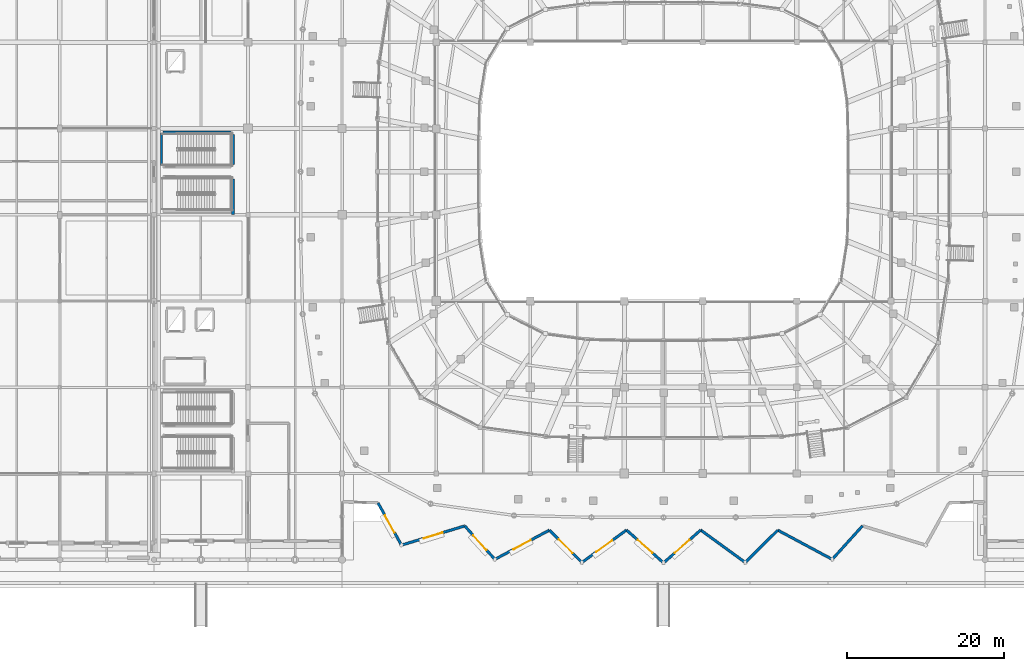
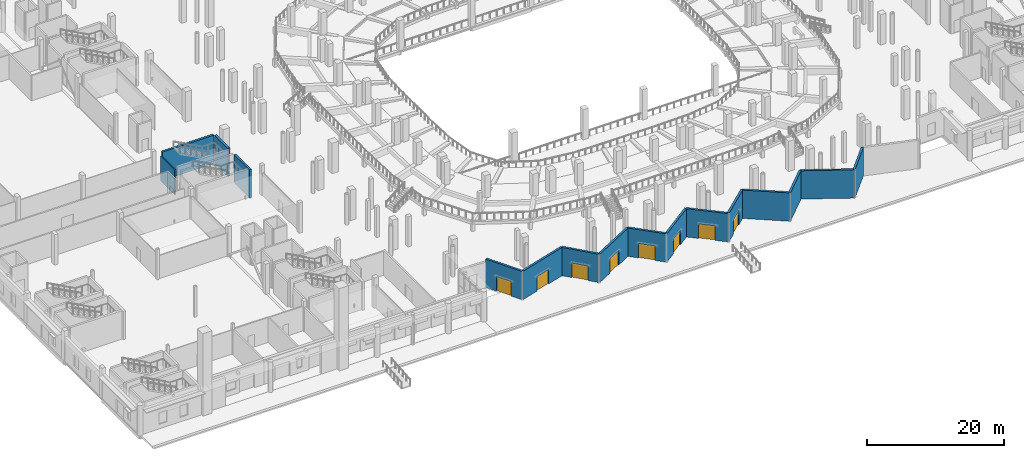
# One storey, part 58 of 120: 16 walls, 8 doors, 8 openings.
"""IFC4 building model written with IfcOpenShell, lengths in metres."""

from ifc_helpers import new_model, si_unit, direction, frame, frame_2d, origin, place, context, subcontext, project, spatial, rectangle, extrude, material, layer, layer_set, type_object, element, fill, save


model = new_model("IFC4")

# Units and contexts
model_context = context("Model", 3, precision=1e-05, world=origin(), true_north=direction((0.0, 1.0)))
body_context = subcontext(model_context, "Body", "Model", "MODEL_VIEW")
ifc_project = project(units=[si_unit("LENGTHUNIT", "METRE"), si_unit("AREAUNIT", "SQUARE_METRE"), si_unit("VOLUMEUNIT", "CUBIC_METRE"), si_unit("PLANEANGLEUNIT", "RADIAN"), si_unit("MASSUNIT", "GRAM", prefix="KILO")], contexts=[model_context])

# Site, building, storey
site_placement = place(None, origin())
site = spatial("IfcSite", under=ifc_project, at=site_placement, CompositionType="ELEMENT")
building_placement = place(site_placement, origin())
building = spatial("IfcBuilding", under=site, at=building_placement, Name="Luwafu Chhajja Arena", CompositionType="ELEMENT")
storey_placement = place(building_placement, origin())
storey = spatial("IfcBuildingStorey", under=building, at=storey_placement, Name="L00", CompositionType="ELEMENT", Elevation=0.0)

# Wall, opening, door
ifc_material_1 = material(Name="Precast concrete C40/50", Category="concrete")
ifc_layer_1 = layer(ifc_material_1, 0.340087890625, Name="Precast concrete C40/50")
ifc_layer_set_1 = layer_set([ifc_layer_1], Name="Precast concrete C40/50")
wall_type_1 = type_object("IfcWallType", Name="Pleated Bowl V-Fold Wall 340", PredefinedType="USERDEFINED", material=ifc_layer_set_1)
wall_1_placement = place(storey_placement, frame((62.57421875, 7.23681640625, 0.0), z_axis=(0.0, 0.0, 1.0), x_axis=(0.487306352228, -0.87323108, 0.0)))
wall_1 = element("IfcWall", 1, at=wall_1_placement, inside=storey, type_object=wall_type_1, Name="L00 Pleated Bowl V-Fold Wall 42", ObjectType="PLEATED FACADE WALL", PredefinedType="USERDEFINED", context=body_context, shape_type="SweptSolid", body=[
    extrude(rectangle(XDim=6.15283203125, YDim=0.340087890625, at=frame_2d((3.076416015625, 0.0))), origin(), (0.0, 0.0, 1.0), 5.054931640625),
])
opening_1_placement = place(wall_1_placement, frame((1.826416015625, 0.0, 0.0)))
opening_1 = element("IfcOpeningElement", 2, at=opening_1_placement, cuts=wall_1, Name="Opening DR-02", PredefinedType="OPENING", context=body_context, shape_type="SweptSolid", body=[
    extrude(rectangle(XDim=2.5, YDim=2.60009765625, at=frame_2d((1.25, 1.300048828125))), frame((0.0, 0.179931640625, 0.0), z_axis=(0.0, -1.0, 0.0), x_axis=(1.0, 0.0, 0.0)), (0.0, 0.0, 1.0), 0.360107421875),
])
ifc_material_2 = material(Name="Anodised bronze aluminium and toughened glass", Category="aluminium")
door_type = type_object("IfcDoorType", Name="DR-02", OperationType="DOUBLE_DOOR_SINGLE_SWING", PredefinedType="DOOR", material=ifc_material_2)
door_1_placement = place(opening_1_placement, frame((2.5, 0.0, 0.0), z_axis=(0.0, 0.0, 1.0), x_axis=(-1.0, 0.0, 0.0)))
door_1 = element("IfcDoor", 3, at=door_1_placement, inside=storey, type_object=door_type, Name="Main entrance E-01", OperationType="DOUBLE_DOOR_SINGLE_SWING", OverallHeight=2.60009765625, OverallWidth=2.5, PredefinedType="DOOR", context=body_context, shape_type="SweptSolid", body=[
    extrude(rectangle(XDim=2.5, YDim=2.60009765625, at=frame_2d((1.25, 1.300048828125))), frame((0.0, 0.02490234375, 0.0), z_axis=(0.0, -1.0, 0.0), x_axis=(1.0, 0.0, 0.0)), (0.0, 0.0, 1.0), 0.050048828125),
])
fill(opening_1, door_1)

wall_2_placement = place(storey_placement, frame((65.572509765625, 1.864013671875, 0.0), z_axis=(0.0, 0.0, 1.0), x_axis=(0.956738407321, 0.290949514446, 0.0)))
wall_2 = element("IfcWall", 4, at=wall_2_placement, inside=storey, type_object=wall_type_1, Name="L00 Pleated Bowl V-Fold Wall 43", ObjectType="PLEATED FACADE WALL", PredefinedType="USERDEFINED", context=body_context, shape_type="SweptSolid", body=[
    extrude(rectangle(XDim=8.427978515625, YDim=0.340087890625, at=frame_2d((4.2138671875, 0.0))), origin(), (0.0, 0.0, 1.0), 5.054931640625),
])
opening_2_placement = place(wall_2_placement, frame((2.964111328125, 0.0, 0.0)))
opening_2 = element("IfcOpeningElement", 5, at=opening_2_placement, cuts=wall_2, Name="Opening DR-02", PredefinedType="OPENING", context=body_context, shape_type="SweptSolid", body=[
    extrude(rectangle(XDim=2.5, YDim=2.60009765625, at=frame_2d((1.25, 1.300048828125))), frame((0.0, 0.179931640625, 0.0), z_axis=(0.0, -1.0, 0.0), x_axis=(1.0, 0.0, 0.0)), (0.0, 0.0, 1.0), 0.360107421875),
])
door_2_placement = place(opening_2_placement, frame((2.5, 0.0, 0.0), z_axis=(0.0, 0.0, 1.0), x_axis=(-1.0, 0.0, 0.0)))
door_2 = element("IfcDoor", 6, at=door_2_placement, inside=storey, type_object=door_type, Name="Main entrance E-02", OperationType="DOUBLE_DOOR_SINGLE_SWING", OverallHeight=2.60009765625, OverallWidth=2.5, PredefinedType="DOOR", context=body_context, shape_type="SweptSolid", body=[
    extrude(rectangle(XDim=2.5, YDim=2.60009765625, at=frame_2d((1.25, 1.300048828125))), frame((0.0, 0.02490234375, 0.0), z_axis=(0.0, -1.0, 0.0), x_axis=(1.0, 0.0, 0.0)), (0.0, 0.0, 1.0), 0.050048828125),
])
fill(opening_2, door_2)

wall_3_placement = place(storey_placement, frame((73.635986328125, 4.316162109375, 0.0), z_axis=(0.0, 0.0, 1.0), x_axis=(0.670348131104, -0.742046752654, 0.0)))
wall_3 = element("IfcWall", 7, at=wall_3_placement, inside=storey, type_object=wall_type_1, Name="L00 Pleated Bowl V-Fold Wall 44", ObjectType="PLEATED FACADE WALL", PredefinedType="USERDEFINED", context=body_context, shape_type="SweptSolid", body=[
    extrude(rectangle(XDim=5.747802734375, YDim=0.340087890625, at=frame_2d((2.8740234375, 0.0))), origin(), (0.0, 0.0, 1.0), 5.054931640625),
])
opening_3_placement = place(wall_3_placement, frame((1.623779296875, 0.0, 0.0)))
opening_3 = element("IfcOpeningElement", 8, at=opening_3_placement, cuts=wall_3, Name="Opening DR-02", PredefinedType="OPENING", context=body_context, shape_type="SweptSolid", body=[
    extrude(rectangle(XDim=2.5, YDim=2.60009765625, at=frame_2d((1.25, 1.300048828125))), frame((0.0, 0.179931640625, 0.0), z_axis=(0.0, -1.0, 0.0), x_axis=(1.0, 0.0, 0.0)), (0.0, 0.0, 1.0), 0.360107421875),
])
door_3_placement = place(opening_3_placement, frame((2.5, 0.0, 0.0), z_axis=(0.0, 0.0, 1.0), x_axis=(-1.0, 0.0, 0.0)))
door_3 = element("IfcDoor", 9, at=door_3_placement, inside=storey, type_object=door_type, Name="Main entrance E-03", OperationType="DOUBLE_DOOR_SINGLE_SWING", OverallHeight=2.60009765625, OverallWidth=2.5, PredefinedType="DOOR", context=body_context, shape_type="SweptSolid", body=[
    extrude(rectangle(XDim=2.5, YDim=2.60009765625, at=frame_2d((1.25, 1.300048828125))), frame((0.0, 0.02490234375, 0.0), z_axis=(0.0, -1.0, 0.0), x_axis=(1.0, 0.0, 0.0)), (0.0, 0.0, 1.0), 0.050048828125),
])
fill(opening_3, door_3)

wall_4_placement = place(storey_placement, frame((77.489013671875, 0.051025390625, 0.0), z_axis=(0.0, 0.0, 1.0), x_axis=(0.881201188687, 0.472741435731, 0.0)))
wall_4 = element("IfcWall", 10, at=wall_4_placement, inside=storey, type_object=wall_type_1, Name="L00 Pleated Bowl V-Fold Wall 45", ObjectType="PLEATED FACADE WALL", PredefinedType="USERDEFINED", context=body_context, shape_type="SweptSolid", body=[
    extrude(rectangle(XDim=7.880859375, YDim=0.340087890625, at=frame_2d((3.9404296875, 0.0))), origin(), (0.0, 0.0, 1.0), 5.054931640625),
])
opening_4_placement = place(wall_4_placement, frame((2.690185546875, 0.0, 0.0)))
opening_4 = element("IfcOpeningElement", 11, at=opening_4_placement, cuts=wall_4, Name="Opening DR-02", PredefinedType="OPENING", context=body_context, shape_type="SweptSolid", body=[
    extrude(rectangle(XDim=2.5, YDim=2.60009765625, at=frame_2d((1.25, 1.300048828125))), frame((0.0, 0.179931640625, 0.0), z_axis=(0.0, -1.0, 0.0), x_axis=(1.0, 0.0, 0.0)), (0.0, 0.0, 1.0), 0.360107421875),
])
door_4_placement = place(opening_4_placement, frame((2.5, 0.0, 0.0), z_axis=(0.0, 0.0, 1.0), x_axis=(-1.0, 0.0, 0.0)))
door_4 = element("IfcDoor", 12, at=door_4_placement, inside=storey, type_object=door_type, Name="Main entrance E-04", OperationType="DOUBLE_DOOR_SINGLE_SWING", OverallHeight=2.60009765625, OverallWidth=2.5, PredefinedType="DOOR", context=body_context, shape_type="SweptSolid", body=[
    extrude(rectangle(XDim=2.5, YDim=2.60009765625, at=frame_2d((1.25, 1.300048828125))), frame((0.0, 0.02490234375, 0.0), z_axis=(0.0, -1.0, 0.0), x_axis=(1.0, 0.0, 0.0)), (0.0, 0.0, 1.0), 0.050048828125),
])
fill(opening_4, door_4)

wall_5_placement = place(storey_placement, frame((84.43359375, 3.776611328125, 0.0), z_axis=(0.0, 0.0, 1.0), x_axis=(0.710084208502, -0.704116763638, 0.0)))
wall_5 = element("IfcWall", 13, at=wall_5_placement, inside=storey, type_object=wall_type_1, Name="L00 Pleated Bowl V-Fold Wall 46", ObjectType="PLEATED FACADE WALL", PredefinedType="USERDEFINED", context=body_context, shape_type="SweptSolid", body=[
    extrude(rectangle(XDim=5.850341796875, YDim=0.340087890625, at=frame_2d((2.92529296875, 0.0))), origin(), (0.0, 0.0, 1.0), 5.054931640625),
])
opening_5_placement = place(wall_5_placement, frame((1.67529296875, 0.0, 0.0)))
opening_5 = element("IfcOpeningElement", 14, at=opening_5_placement, cuts=wall_5, Name="Opening DR-02", PredefinedType="OPENING", context=body_context, shape_type="SweptSolid", body=[
    extrude(rectangle(XDim=2.5, YDim=2.60009765625, at=frame_2d((1.25, 1.300048828125))), frame((0.0, 0.179931640625, 0.0), z_axis=(0.0, -1.0, 0.0), x_axis=(1.0, 0.0, 0.0)), (0.0, 0.0, 1.0), 0.360107421875),
])
door_5_placement = place(opening_5_placement, frame((2.5, 0.0, 0.0), z_axis=(0.0, 0.0, 1.0), x_axis=(-1.0, 0.0, 0.0)))
door_5 = element("IfcDoor", 15, at=door_5_placement, inside=storey, type_object=door_type, Name="Main entrance E-05", OperationType="DOUBLE_DOOR_SINGLE_SWING", OverallHeight=2.60009765625, OverallWidth=2.5, PredefinedType="DOOR", context=body_context, shape_type="SweptSolid", body=[
    extrude(rectangle(XDim=2.5, YDim=2.60009765625, at=frame_2d((1.25, 1.300048828125))), frame((0.0, 0.02490234375, 0.0), z_axis=(0.0, -1.0, 0.0), x_axis=(1.0, 0.0, 0.0)), (0.0, 0.0, 1.0), 0.050048828125),
])
fill(opening_5, door_5)

wall_6_placement = place(storey_placement, frame((88.587890625, -0.3427734375, 0.0), z_axis=(0.0, 0.0, 1.0), x_axis=(0.808841233488, 0.588027090371, 0.0)))
wall_6 = element("IfcWall", 16, at=wall_6_placement, inside=storey, type_object=wall_type_1, Name="L00 Pleated Bowl V-Fold Wall 47", ObjectType="PLEATED FACADE WALL", PredefinedType="USERDEFINED", context=body_context, shape_type="SweptSolid", body=[
    extrude(rectangle(XDim=7.02734375, YDim=0.340087890625, at=frame_2d((3.513671875, 0.0))), origin(), (0.0, 0.0, 1.0), 5.054931640625),
])
opening_6_placement = place(wall_6_placement, frame((2.263671875, 0.0, 0.0)))
opening_6 = element("IfcOpeningElement", 17, at=opening_6_placement, cuts=wall_6, Name="Opening DR-02", PredefinedType="OPENING", context=body_context, shape_type="SweptSolid", body=[
    extrude(rectangle(XDim=2.5, YDim=2.60009765625, at=frame_2d((1.25, 1.300048828125))), frame((0.0, 0.179931640625, 0.0), z_axis=(0.0, -1.0, 0.0), x_axis=(1.0, 0.0, 0.0)), (0.0, 0.0, 1.0), 0.360107421875),
])
door_6_placement = place(opening_6_placement, frame((2.5, 0.0, 0.0), z_axis=(0.0, 0.0, 1.0), x_axis=(-1.0, 0.0, 0.0)))
door_6 = element("IfcDoor", 18, at=door_6_placement, inside=storey, type_object=door_type, Name="Main entrance E-06", OperationType="DOUBLE_DOOR_SINGLE_SWING", OverallHeight=2.60009765625, OverallWidth=2.5, PredefinedType="DOOR", context=body_context, shape_type="SweptSolid", body=[
    extrude(rectangle(XDim=2.5, YDim=2.60009765625, at=frame_2d((1.25, 1.300048828125))), frame((0.0, 0.02490234375, 0.0), z_axis=(0.0, -1.0, 0.0), x_axis=(1.0, 0.0, 0.0)), (0.0, 0.0, 1.0), 0.050048828125),
])
fill(opening_6, door_6)

wall_7_placement = place(storey_placement, frame((94.27197265625, 3.78955078125, 0.0), z_axis=(0.0, 0.0, 1.0), x_axis=(0.74844895461, -0.663192402205, 0.0)))
wall_7 = element("IfcWall", 19, at=wall_7_placement, inside=storey, type_object=wall_type_1, Name="L00 Pleated Bowl V-Fold Wall 48", ObjectType="PLEATED FACADE WALL", PredefinedType="USERDEFINED", context=body_context, shape_type="SweptSolid", body=[
    extrude(rectangle(XDim=6.317138671875, YDim=0.340087890625, at=frame_2d((3.15869140625, 0.0))), origin(), (0.0, 0.0, 1.0), 5.054931640625),
])
opening_7_placement = place(wall_7_placement, frame((1.90869140625, 0.0, 0.0)))
opening_7 = element("IfcOpeningElement", 20, at=opening_7_placement, cuts=wall_7, Name="Opening DR-02", PredefinedType="OPENING", context=body_context, shape_type="SweptSolid", body=[
    extrude(rectangle(XDim=2.5, YDim=2.60009765625, at=frame_2d((1.25, 1.300048828125))), frame((0.0, 0.179931640625, 0.0), z_axis=(0.0, -1.0, 0.0), x_axis=(1.0, 0.0, 0.0)), (0.0, 0.0, 1.0), 0.360107421875),
])
door_7_placement = place(opening_7_placement, frame((2.5, 0.0, 0.0), z_axis=(0.0, 0.0, 1.0), x_axis=(-1.0, 0.0, 0.0)))
door_7 = element("IfcDoor", 21, at=door_7_placement, inside=storey, type_object=door_type, Name="Main entrance E-07", OperationType="DOUBLE_DOOR_SINGLE_SWING", OverallHeight=2.60009765625, OverallWidth=2.5, PredefinedType="DOOR", context=body_context, shape_type="SweptSolid", body=[
    extrude(rectangle(XDim=2.5, YDim=2.60009765625, at=frame_2d((1.25, 1.300048828125))), frame((0.0, 0.02490234375, 0.0), z_axis=(0.0, -1.0, 0.0), x_axis=(1.0, 0.0, 0.0)), (0.0, 0.0, 1.0), 0.050048828125),
])
fill(opening_7, door_7)

wall_8_placement = place(storey_placement, frame((99.0, -0.39990234375, 0.0), z_axis=(0.0, 0.0, 1.0), x_axis=(0.74844895461, 0.663192402205, 0.0)))
wall_8 = element("IfcWall", 22, at=wall_8_placement, inside=storey, type_object=wall_type_1, Name="L00 Pleated Bowl V-Fold Wall 49", ObjectType="PLEATED FACADE WALL", PredefinedType="USERDEFINED", context=body_context, shape_type="SweptSolid", body=[
    extrude(rectangle(XDim=6.317138671875, YDim=0.340087890625, at=frame_2d((3.15869140625, 0.0))), origin(), (0.0, 0.0, 1.0), 5.054931640625),
])
opening_8_placement = place(wall_8_placement, frame((1.90869140625, 0.0, 0.0)))
opening_8 = element("IfcOpeningElement", 23, at=opening_8_placement, cuts=wall_8, Name="Opening DR-02", PredefinedType="OPENING", context=body_context, shape_type="SweptSolid", body=[
    extrude(rectangle(XDim=2.5, YDim=2.60009765625, at=frame_2d((1.25, 1.300048828125))), frame((0.0, 0.179931640625, 0.0), z_axis=(0.0, -1.0, 0.0), x_axis=(1.0, 0.0, 0.0)), (0.0, 0.0, 1.0), 0.360107421875),
])
door_8_placement = place(opening_8_placement, frame((2.5, 0.0, 0.0), z_axis=(0.0, 0.0, 1.0), x_axis=(-1.0, 0.0, 0.0)))
door_8 = element("IfcDoor", 24, at=door_8_placement, inside=storey, type_object=door_type, Name="Main entrance E-08", OperationType="DOUBLE_DOOR_SINGLE_SWING", OverallHeight=2.60009765625, OverallWidth=2.5, PredefinedType="DOOR", context=body_context, shape_type="SweptSolid", body=[
    extrude(rectangle(XDim=2.5, YDim=2.60009765625, at=frame_2d((1.25, 1.300048828125))), frame((0.0, 0.02490234375, 0.0), z_axis=(0.0, -1.0, 0.0), x_axis=(1.0, 0.0, 0.0)), (0.0, 0.0, 1.0), 0.050048828125),
])
fill(opening_8, door_8)

# Walls
wall_9_placement = place(storey_placement, frame((103.72802734375, 3.78955078125, 0.0), z_axis=(0.0, 0.0, 1.0), x_axis=(0.808841233488, -0.588027090371, 0.0)))
element("IfcWall", 25, at=wall_9_placement, inside=storey, type_object=wall_type_1, Name="L00 Pleated Bowl V-Fold Wall 50", ObjectType="PLEATED FACADE WALL", PredefinedType="USERDEFINED", context=body_context, shape_type="SweptSolid", body=[
    extrude(rectangle(XDim=7.02734375, YDim=0.340087890625, at=frame_2d((3.513671875, 0.0))), origin(), (0.0, 0.0, 1.0), 5.054931640625),
])
wall_10_placement = place(storey_placement, frame((109.412109375, -0.3427734375, 0.0), z_axis=(0.0, 0.0, 1.0), x_axis=(0.710084208502, 0.704116763638, 0.0)))
element("IfcWall", 26, at=wall_10_placement, inside=storey, type_object=wall_type_1, Name="L00 Pleated Bowl V-Fold Wall 51", ObjectType="PLEATED FACADE WALL", PredefinedType="USERDEFINED", context=body_context, shape_type="SweptSolid", body=[
    extrude(rectangle(XDim=5.850341796875, YDim=0.340087890625, at=frame_2d((2.92529296875, 0.0))), origin(), (0.0, 0.0, 1.0), 5.054931640625),
])
wall_11_placement = place(storey_placement, frame((113.56640625, 3.776611328125, 0.0), z_axis=(0.0, 0.0, 1.0), x_axis=(0.881201188687, -0.472741435731, 0.0)))
element("IfcWall", 27, at=wall_11_placement, inside=storey, type_object=wall_type_1, Name="L00 Pleated Bowl V-Fold Wall 52", ObjectType="PLEATED FACADE WALL", PredefinedType="USERDEFINED", context=body_context, shape_type="SweptSolid", body=[
    extrude(rectangle(XDim=7.880859375, YDim=0.340087890625, at=frame_2d((3.9404296875, 0.0))), origin(), (0.0, 0.0, 1.0), 5.054931640625),
])
wall_12_placement = place(storey_placement, frame((120.510986328125, 0.051025390625, 0.0), z_axis=(0.0, 0.0, 1.0), x_axis=(0.670348131104, 0.742046752654, 0.0)))
element("IfcWall", 28, at=wall_12_placement, inside=storey, type_object=wall_type_1, Name="L00 Pleated Bowl V-Fold Wall 53", ObjectType="PLEATED FACADE WALL", PredefinedType="USERDEFINED", context=body_context, shape_type="SweptSolid", body=[
    extrude(rectangle(XDim=5.747802734375, YDim=0.340087890625, at=frame_2d((2.8740234375, 0.0))), origin(), (0.0, 0.0, 1.0), 5.054931640625),
])
ifc_material_3 = material(Name="Concrete C40/50", Category="concrete")
ifc_layer_2 = layer(ifc_material_3, 0.35009765625, Name="Concrete C40/50")
ifc_layer_set_2 = layer_set([ifc_layer_2], Name="Concrete C40/50")
wall_type_2 = type_object("IfcWallType", Name="RC Core Shear Wall 350", PredefinedType="SOLIDWALL", material=ifc_layer_set_2)
wall_13_placement = place(storey_placement, frame((44.072021484375, 44.050048828125, 0.0), z_axis=(0.0, 0.0, 1.0), x_axis=(0.0, 1.0, 0.0)))
element("IfcWall", 29, at=wall_13_placement, inside=storey, type_object=wall_type_2, Name="L00 Stair ST-09 Core Shear Wall E", PredefinedType="SOLIDWALL", context=body_context, shape_type="SweptSolid", body=[
    extrude(rectangle(XDim=4.5400390625, YDim=0.35009765625, at=frame_2d((2.27001953125, 0.0))), origin(), (0.0, 0.0, 1.0), 5.06005859375),
])
wall_14_placement = place(storey_placement, frame((44.072021484375, 50.409912109375, 0.0), z_axis=(0.0, 0.0, 1.0), x_axis=(0.0, 1.0, 0.0)))
element("IfcWall", 30, at=wall_14_placement, inside=storey, type_object=wall_type_2, Name="L00 Stair ST-10 Core Shear Wall E", PredefinedType="SOLIDWALL", context=body_context, shape_type="SweptSolid", body=[
    extrude(rectangle(XDim=3.840087890625, YDim=0.35009765625, at=frame_2d((1.919921875, 0.0))), origin(), (0.0, 0.0, 1.0), 5.06005859375),
])
wall_15_placement = place(storey_placement, frame((35.14990234375, 54.52197265625, 0.0), z_axis=(0.0, 0.0, 1.0), x_axis=(1.0, 0.0, 0.0)))
element("IfcWall", 31, at=wall_15_placement, inside=storey, type_object=wall_type_2, Name="L00 Stair ST-10 Core Shear Wall N", PredefinedType="SOLIDWALL", context=body_context, shape_type="SweptSolid", body=[
    extrude(rectangle(XDim=8.7001953125, YDim=0.35009765625, at=frame_2d((4.35009765625, 0.0))), origin(), (0.0, 0.0, 1.0), 5.06005859375),
])
ifc_material_4 = material(Name="Concrete C35/45", Category="concrete")
ifc_layer_3 = layer(ifc_material_4, 0.22998046875, Name="Concrete C35/45")
ifc_layer_set_3 = layer_set([ifc_layer_3], Name="Concrete C35/45")
wall_type_3 = type_object("IfcWallType", Name="Stair Enclosure Wall 230", PredefinedType="SOLIDWALL", material=ifc_layer_set_3)
wall_16_placement = place(storey_placement, frame((34.9599609375, 50.2900390625, 0.0), z_axis=(0.0, 0.0, 1.0), x_axis=(0.0, 1.0, 0.0)))
element("IfcWall", 32, at=wall_16_placement, inside=storey, type_object=wall_type_3, Name="L00 Stair ST-10 Enclosure Wall W", PredefinedType="SOLIDWALL", context=body_context, shape_type="SweptSolid", body=[
    extrude(rectangle(XDim=4.080078125, YDim=0.22998046875, at=frame_2d((2.0400390625, 0.0))), origin(), (0.0, 0.0, 1.0), 4.449951171875),
])

save(model, "model.ifc")
